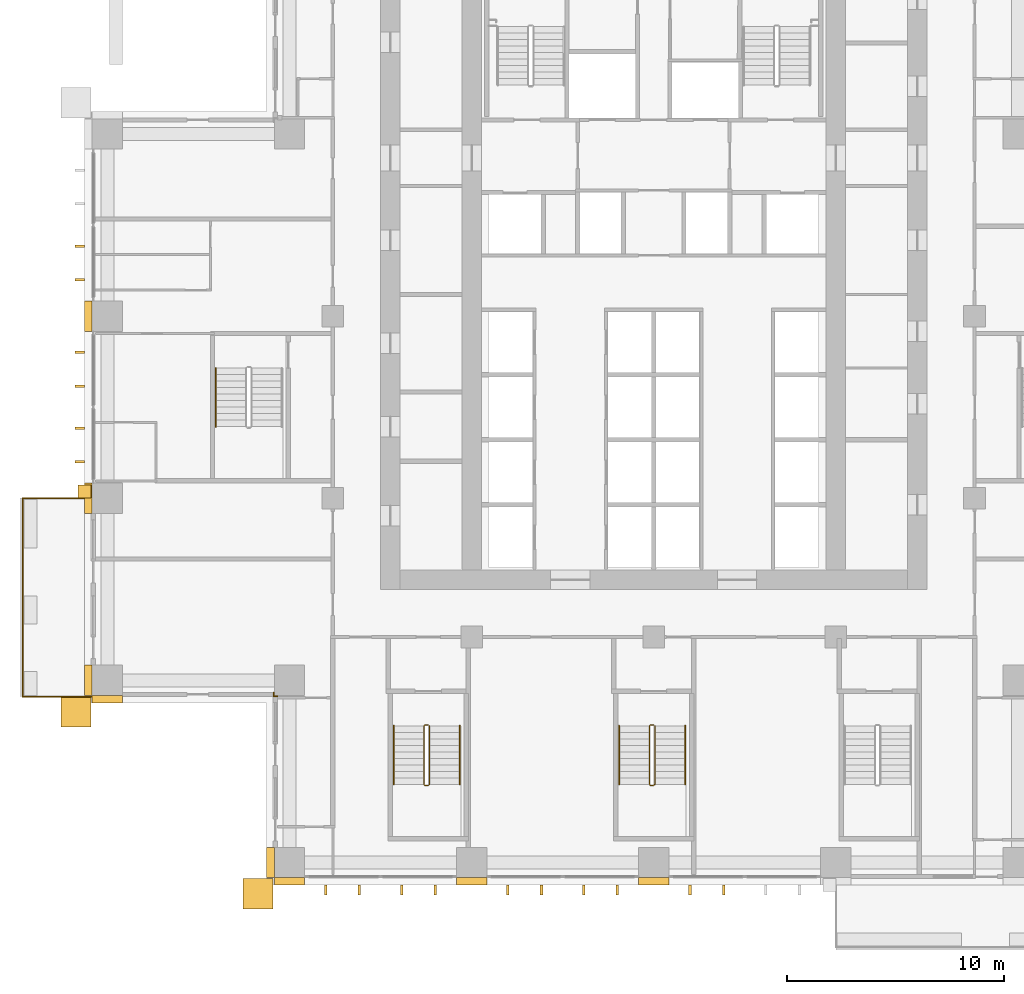
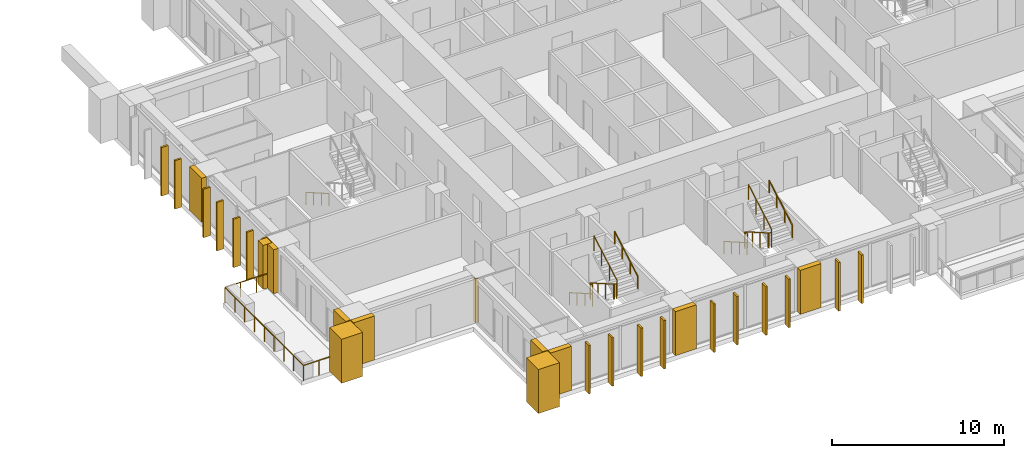
# One storey, part 15 of 18: 28 coverings, 8 railings.
"""IFC4 building model written with IfcOpenShell, lengths in metres."""

from ifc_helpers import new_model, si_unit, direction, frame, origin, origin_2d, place, context, subcontext, project, spatial, polyline, rectangle, outline, extrude, material, layer, layer_set, type_object, element, save


model = new_model("IFC4")

# Units and contexts
model_context = context("Model", 3, precision=1e-05, world=origin(), true_north=direction((0.0, 1.0)))
body_context = subcontext(model_context, "Body", "Model", "MODEL_VIEW")
ifc_project = project(units=[si_unit("LENGTHUNIT", "METRE"), si_unit("AREAUNIT", "SQUARE_METRE"), si_unit("VOLUMEUNIT", "CUBIC_METRE"), si_unit("PLANEANGLEUNIT", "RADIAN"), si_unit("MASSUNIT", "GRAM", prefix="KILO")], contexts=[model_context])

# Site, building, storey
site_placement = place(None, origin())
site = spatial("IfcSite", under=ifc_project, at=site_placement, CompositionType="ELEMENT")
building_placement = place(site_placement, origin())
building = spatial("IfcBuilding", under=site, at=building_placement, Name="Vermilion Ogive Tower", CompositionType="ELEMENT")
storey_placement = place(building_placement, frame((0.0, 0.0, 34.5)))
storey = spatial("IfcBuildingStorey", under=building, at=storey_placement, Name="L06", CompositionType="ELEMENT", Elevation=34.5)

# Railing
ifc_material_1 = material(Name="Stainless steel and glass", Category="steel")
railing_type_1 = type_object("IfcRailingType", Name="Balcony guard", PredefinedType="GUARDRAIL", material=ifc_material_1)
railing_1_placement = place(storey_placement, frame((-25.949951171875, -4.199951171875, -0.0400390625)))
element("IfcRailing", 1, at=railing_1_placement, inside=storey, type_object=railing_type_1, Name="Guard W03", PredefinedType="GUARDRAIL", context=body_context, shape_type="SweptSolid", body=[
    extrude(rectangle(XDim=0.048095703125, YDim=0.048095703125, at=origin_2d()), frame((0.0, 0.0, 1.076171875), z_axis=(-1.0, 0.0, 0.0), x_axis=(0.0, -1.0, 0.0)), (0.0, 0.0, 1.0), 3.16015625),
    extrude(rectangle(XDim=0.048095703125, YDim=0.048095703125, at=origin_2d()), frame((-3.16015625, 0.0, 1.076171875), z_axis=(0.0, -1.0, 0.0), x_axis=(1.0, 0.0, 0.0)), (0.0, 0.0, 1.0), 9.150146484375),
    extrude(rectangle(XDim=0.048095703125, YDim=0.048095703125, at=origin_2d()), frame((-3.16015625, -9.150146484375, 1.076171875), z_axis=(1.0, 0.0, 0.0), x_axis=(0.0, 1.0, 0.0)), (0.0, 0.0, 1.0), 3.16015625),
    extrude(rectangle(XDim=0.0419921875, YDim=0.0419921875, at=origin_2d()), origin(), (0.0, 0.0, 1.0), 1.052001953125),
    extrude(rectangle(XDim=0.0419921875, YDim=0.0419921875, at=origin_2d()), frame((-1.053466796875, 0.0, 0.0)), (0.0, 0.0, 1.0), 1.052001953125),
    extrude(rectangle(XDim=0.0419921875, YDim=0.0419921875, at=origin_2d()), frame((-2.106689453125, 0.0, 0.0)), (0.0, 0.0, 1.0), 1.052001953125),
    extrude(rectangle(XDim=0.0419921875, YDim=0.0419921875, at=origin_2d()), frame((-3.16015625, 0.0, 0.0)), (0.0, 0.0, 1.0), 1.052001953125),
    extrude(rectangle(XDim=0.0419921875, YDim=0.0419921875, at=origin_2d()), frame((-3.16015625, -1.143798828125, 0.0)), (0.0, 0.0, 1.0), 1.052001953125),
    extrude(rectangle(XDim=0.0419921875, YDim=0.0419921875, at=origin_2d()), frame((-3.16015625, -2.28759765625, 0.0)), (0.0, 0.0, 1.0), 1.052001953125),
    extrude(rectangle(XDim=0.0419921875, YDim=0.0419921875, at=origin_2d()), frame((-3.16015625, -3.431396484375, 0.0)), (0.0, 0.0, 1.0), 1.052001953125),
    extrude(rectangle(XDim=0.0419921875, YDim=0.0419921875, at=origin_2d()), frame((-3.16015625, -4.5751953125, 0.0)), (0.0, 0.0, 1.0), 1.052001953125),
    extrude(rectangle(XDim=0.0419921875, YDim=0.0419921875, at=origin_2d()), frame((-3.16015625, -5.71875, 0.0)), (0.0, 0.0, 1.0), 1.052001953125),
    extrude(rectangle(XDim=0.0419921875, YDim=0.0419921875, at=origin_2d()), frame((-3.16015625, -6.862548828125, 0.0)), (0.0, 0.0, 1.0), 1.052001953125),
    extrude(rectangle(XDim=0.0419921875, YDim=0.0419921875, at=origin_2d()), frame((-3.16015625, -8.00634765625, 0.0)), (0.0, 0.0, 1.0), 1.052001953125),
    extrude(rectangle(XDim=0.0419921875, YDim=0.0419921875, at=origin_2d()), frame((-3.16015625, -9.150146484375, 0.0)), (0.0, 0.0, 1.0), 1.052001953125),
    extrude(rectangle(XDim=0.0419921875, YDim=0.0419921875, at=origin_2d()), frame((-2.106689453125, -9.150146484375, 0.0)), (0.0, 0.0, 1.0), 1.052001953125),
    extrude(rectangle(XDim=0.0419921875, YDim=0.0419921875, at=origin_2d()), frame((-1.053466796875, -9.150146484375, 0.0)), (0.0, 0.0, 1.0), 1.052001953125),
    extrude(rectangle(XDim=0.0419921875, YDim=0.0419921875, at=origin_2d()), frame((0.0, -9.150146484375, 0.0)), (0.0, 0.0, 1.0), 1.052001953125),
])

# Coverings
ifc_material_2 = material(Name="Glazed ceramic screen")
ifc_layer = layer(ifc_material_2, 0.14990234375)
ifc_layer_set = layer_set([ifc_layer], Name="Ceramic solar screen fin")
covering_type_1 = type_object("IfcCoveringType", Name="Ceramic solar screen fin", PredefinedType="CLADDING", material=ifc_layer_set)
covering_1_placement = place(storey_placement, frame((0.0, 0.0, -0.320068359375)))
element("IfcCovering", 2, at=covering_1_placement, inside=storey, type_object=covering_type_1, Name="Solar screen blade S961", PredefinedType="CLADDING", context=body_context, shape_type="SweptSolid", body=[
    extrude(outline(polyline([(-15.18505859375, -22.5), (-15.06494140625, -22.5), (-15.06494140625, -22.050048828125), (-15.18505859375, -22.050048828125), (-15.18505859375, -22.5)])), origin(), (0.0, 0.0, 1.0), 3.449951171875),
])
covering_2_placement = place(storey_placement, frame((0.0, 0.0, -0.320068359375)))
element("IfcCovering", 3, at=covering_2_placement, inside=storey, type_object=covering_type_1, Name="Solar screen blade S962", PredefinedType="CLADDING", context=body_context, shape_type="SweptSolid", body=[
    extrude(outline(polyline([(-13.635009765625, -22.5), (-13.514892578125, -22.5), (-13.514892578125, -22.050048828125), (-13.635009765625, -22.050048828125), (-13.635009765625, -22.5)])), origin(), (0.0, 0.0, 1.0), 3.449951171875),
])
covering_3_placement = place(storey_placement, frame((0.0, 0.0, -0.320068359375)))
element("IfcCovering", 4, at=covering_3_placement, inside=storey, type_object=covering_type_1, Name="Solar screen blade S971", PredefinedType="CLADDING", context=body_context, shape_type="SweptSolid", body=[
    extrude(outline(polyline([(-11.68505859375, -22.5), (-11.56494140625, -22.5), (-11.56494140625, -22.050048828125), (-11.68505859375, -22.050048828125), (-11.68505859375, -22.5)])), origin(), (0.0, 0.0, 1.0), 3.449951171875),
])
covering_4_placement = place(storey_placement, frame((0.0, 0.0, -0.320068359375)))
element("IfcCovering", 5, at=covering_4_placement, inside=storey, type_object=covering_type_1, Name="Solar screen blade S972", PredefinedType="CLADDING", context=body_context, shape_type="SweptSolid", body=[
    extrude(outline(polyline([(-10.135009765625, -22.5), (-10.014892578125, -22.5), (-10.014892578125, -22.050048828125), (-10.135009765625, -22.050048828125), (-10.135009765625, -22.5)])), origin(), (0.0, 0.0, 1.0), 3.449951171875),
])
covering_5_placement = place(storey_placement, frame((0.0, 0.0, -0.320068359375)))
element("IfcCovering", 6, at=covering_5_placement, inside=storey, type_object=covering_type_1, Name="Solar screen blade S981", PredefinedType="CLADDING", context=body_context, shape_type="SweptSolid", body=[
    extrude(outline(polyline([(-6.784912109375, -22.5), (-6.6650390625, -22.5), (-6.6650390625, -22.050048828125), (-6.784912109375, -22.050048828125), (-6.784912109375, -22.5)])), origin(), (0.0, 0.0, 1.0), 3.449951171875),
])
covering_6_placement = place(storey_placement, frame((0.0, 0.0, -0.320068359375)))
element("IfcCovering", 7, at=covering_6_placement, inside=storey, type_object=covering_type_1, Name="Solar screen blade S982", PredefinedType="CLADDING", context=body_context, shape_type="SweptSolid", body=[
    extrude(outline(polyline([(-5.235107421875, -22.5), (-5.114990234375, -22.5), (-5.114990234375, -22.050048828125), (-5.235107421875, -22.050048828125), (-5.235107421875, -22.5)])), origin(), (0.0, 0.0, 1.0), 3.449951171875),
])
covering_7_placement = place(storey_placement, frame((0.0, 0.0, -0.320068359375)))
element("IfcCovering", 8, at=covering_7_placement, inside=storey, type_object=covering_type_1, Name="Solar screen blade S991", PredefinedType="CLADDING", context=body_context, shape_type="SweptSolid", body=[
    extrude(outline(polyline([(-3.284912109375, -22.5), (-3.1650390625, -22.5), (-3.1650390625, -22.050048828125), (-3.284912109375, -22.050048828125), (-3.284912109375, -22.5)])), origin(), (0.0, 0.0, 1.0), 3.449951171875),
])
covering_8_placement = place(storey_placement, frame((0.0, 0.0, -0.320068359375)))
element("IfcCovering", 9, at=covering_8_placement, inside=storey, type_object=covering_type_1, Name="Solar screen blade S992", PredefinedType="CLADDING", context=body_context, shape_type="SweptSolid", body=[
    extrude(outline(polyline([(-1.735107421875, -22.5), (-1.614990234375, -22.5), (-1.614990234375, -22.050048828125), (-1.735107421875, -22.050048828125), (-1.735107421875, -22.5)])), origin(), (0.0, 0.0, 1.0), 3.449951171875),
])
covering_9_placement = place(storey_placement, frame((0.0, 0.0, -0.320068359375)))
element("IfcCovering", 10, at=covering_9_placement, inside=storey, type_object=covering_type_1, Name="Solar screen blade S001", PredefinedType="CLADDING", context=body_context, shape_type="SweptSolid", body=[
    extrude(outline(polyline([(1.614990234375, -22.5), (1.735107421875, -22.5), (1.735107421875, -22.050048828125), (1.614990234375, -22.050048828125), (1.614990234375, -22.5)])), origin(), (0.0, 0.0, 1.0), 3.449951171875),
])
covering_10_placement = place(storey_placement, frame((0.0, 0.0, -0.320068359375)))
element("IfcCovering", 11, at=covering_10_placement, inside=storey, type_object=covering_type_1, Name="Solar screen blade S002", PredefinedType="CLADDING", context=body_context, shape_type="SweptSolid", body=[
    extrude(outline(polyline([(3.1650390625, -22.5), (3.284912109375, -22.5), (3.284912109375, -22.050048828125), (3.1650390625, -22.050048828125), (3.1650390625, -22.5)])), origin(), (0.0, 0.0, 1.0), 3.449951171875),
])
covering_11_placement = place(storey_placement, frame((0.0, 0.0, -0.320068359375)))
element("IfcCovering", 12, at=covering_11_placement, inside=storey, type_object=covering_type_1, Name="Solar screen blade W011", PredefinedType="CLADDING", context=body_context, shape_type="SweptSolid", body=[
    extrude(outline(polyline([(-26.699951171875, 7.485107421875), (-26.699951171875, 7.364990234375), (-26.25, 7.364990234375), (-26.25, 7.485107421875), (-26.699951171875, 7.485107421875)])), origin(), (0.0, 0.0, 1.0), 3.449951171875),
])
covering_12_placement = place(storey_placement, frame((0.0, 0.0, -0.320068359375)))
element("IfcCovering", 13, at=covering_12_placement, inside=storey, type_object=covering_type_1, Name="Solar screen blade W012", PredefinedType="CLADDING", context=body_context, shape_type="SweptSolid", body=[
    extrude(outline(polyline([(-26.699951171875, 5.93505859375), (-26.699951171875, 5.81494140625), (-26.25, 5.81494140625), (-26.25, 5.93505859375), (-26.699951171875, 5.93505859375)])), origin(), (0.0, 0.0, 1.0), 3.449951171875),
])
covering_13_placement = place(storey_placement, frame((0.0, 0.0, -0.320068359375)))
element("IfcCovering", 14, at=covering_13_placement, inside=storey, type_object=covering_type_1, Name="Solar screen blade W991", PredefinedType="CLADDING", context=body_context, shape_type="SweptSolid", body=[
    extrude(outline(polyline([(-26.699951171875, -0.9150390625), (-26.699951171875, -1.034912109375), (-26.25, -1.034912109375), (-26.25, -0.9150390625), (-26.699951171875, -0.9150390625)])), origin(), (0.0, 0.0, 1.0), 3.449951171875),
])
covering_14_placement = place(storey_placement, frame((0.0, 0.0, -0.320068359375)))
element("IfcCovering", 15, at=covering_14_placement, inside=storey, type_object=covering_type_1, Name="Solar screen blade W992", PredefinedType="CLADDING", context=body_context, shape_type="SweptSolid", body=[
    extrude(outline(polyline([(-26.699951171875, -2.465087890625), (-26.699951171875, -2.5849609375), (-26.25, -2.5849609375), (-26.25, -2.465087890625), (-26.699951171875, -2.465087890625)])), origin(), (0.0, 0.0, 1.0), 3.449951171875),
])
covering_15_placement = place(storey_placement, frame((0.0, 0.0, -0.320068359375)))
element("IfcCovering", 16, at=covering_15_placement, inside=storey, type_object=covering_type_1, Name="Solar screen blade W001", PredefinedType="CLADDING", context=body_context, shape_type="SweptSolid", body=[
    extrude(outline(polyline([(-26.699951171875, 2.5849609375), (-26.699951171875, 2.465087890625), (-26.25, 2.465087890625), (-26.25, 2.5849609375), (-26.699951171875, 2.5849609375)])), origin(), (0.0, 0.0, 1.0), 3.449951171875),
])
covering_16_placement = place(storey_placement, frame((0.0, 0.0, -0.320068359375)))
element("IfcCovering", 17, at=covering_16_placement, inside=storey, type_object=covering_type_1, Name="Solar screen blade W002", PredefinedType="CLADDING", context=body_context, shape_type="SweptSolid", body=[
    extrude(outline(polyline([(-26.699951171875, 1.034912109375), (-26.699951171875, 0.9150390625), (-26.25, 0.9150390625), (-26.25, 1.034912109375), (-26.699951171875, 1.034912109375)])), origin(), (0.0, 0.0, 1.0), 3.449951171875),
])

# Railings
ifc_material_3 = material(Name="Steel S355 painted", Category="steel")
railing_type_2 = type_object("IfcRailingType", Name="Stair guard 1100", PredefinedType="GUARDRAIL", material=ifc_material_3)
railing_2_placement = place(storey_placement, frame((-10.39990234375, -14.64990234375, 0.0)))
element("IfcRailing", 18, at=railing_2_placement, inside=storey, type_object=railing_type_2, Name="L06 ST3 stair guard 4", PredefinedType="GUARDRAIL", context=body_context, shape_type="SweptSolid", body=[
    extrude(rectangle(XDim=0.048095703125, YDim=0.048095703125, at=origin_2d()), frame((0.0, 0.0, 1.076171875), z_axis=(-1.0, 0.0, 0.0), x_axis=(0.0, -1.0, 0.0)), (0.0, 0.0, 1.0), 0.150146484375),
    extrude(rectangle(XDim=0.048095703125, YDim=0.048095703125, at=origin_2d()), frame((-0.150146484375, 0.0, 1.076171875), z_axis=(-0.268277960024, -0.268277960024, 0.925231793839), x_axis=(0.707106781187, -0.707106781187, 0.0)), (0.0, 0.0, 1.0), 0.1865234375),
    extrude(rectangle(XDim=0.048095703125, YDim=0.048095703125, at=origin_2d()), frame((-0.2001953125, -0.050048828125, 1.24853515625), z_axis=(0.0, -0.866903762492, 0.498475542607), x_axis=(1.0, 0.0, 0.0)), (0.0, 0.0, 1.0), 3.114501953125),
    extrude(rectangle(XDim=0.048095703125, YDim=0.048095703125, at=origin_2d()), frame((-0.2001953125, -2.75, 2.80126953125), z_axis=(0.707106781187, -0.707106781187, 0.0), x_axis=(0.707106781187, 0.707106781187, 0.0)), (0.0, 0.0, 1.0), 0.07080078125),
    extrude(rectangle(XDim=0.048095703125, YDim=0.048095703125, at=origin_2d()), frame((-0.150146484375, -2.800048828125, 2.80126953125), z_axis=(1.0, 0.0, 0.0), x_axis=(0.0, 1.0, 0.0)), (0.0, 0.0, 1.0), 0.150146484375),
    extrude(rectangle(XDim=0.048095703125, YDim=0.048095703125, at=origin_2d()), frame((0.0, -2.800048828125, 2.80126953125), z_axis=(0.267386790225, 0.268697509785, 0.925368009307), x_axis=(-0.708833529934, 0.705375805398, 0.0)), (0.0, 0.0, 1.0), 0.186279296875),
    extrude(rectangle(XDim=0.048095703125, YDim=0.048095703125, at=origin_2d()), frame((0.0498046875, -2.75, 2.9736328125), z_axis=(0.0, 0.866903762492, 0.498475542607), x_axis=(-1.0, 0.0, 0.0)), (0.0, 0.0, 1.0), 3.114501953125),
    extrude(rectangle(XDim=0.0419921875, YDim=0.0419921875, at=origin_2d()), origin(), (0.0, 0.0, 1.0), 1.052001953125),
    extrude(rectangle(XDim=0.0419921875, YDim=0.0419921875, at=origin_2d()), frame((-0.150146484375, 0.0, 0.0)), (0.0, 0.0, 1.0), 1.052001953125),
    extrude(rectangle(XDim=0.0419921875, YDim=0.0419921875, at=origin_2d()), frame((-0.2001953125, -0.050048828125, 0.172607421875)), (0.0, 0.0, 1.0), 1.052001953125),
    extrude(rectangle(XDim=0.0419921875, YDim=0.0419921875, at=origin_2d()), frame((-0.2001953125, -0.949951171875, 0.690185546875)), (0.0, 0.0, 1.0), 1.052001953125),
    extrude(rectangle(XDim=0.0419921875, YDim=0.0419921875, at=origin_2d()), frame((-0.2001953125, -1.85009765625, 1.20751953125)), (0.0, 0.0, 1.0), 1.052001953125),
    extrude(rectangle(XDim=0.0419921875, YDim=0.0419921875, at=origin_2d()), frame((-0.2001953125, -2.75, 1.72509765625)), (0.0, 0.0, 1.0), 1.052001953125),
    extrude(rectangle(XDim=0.0419921875, YDim=0.0419921875, at=origin_2d()), frame((-0.150146484375, -2.800048828125, 1.72509765625)), (0.0, 0.0, 1.0), 1.052001953125),
    extrude(rectangle(XDim=0.0419921875, YDim=0.0419921875, at=origin_2d()), frame((0.0, -2.800048828125, 1.72509765625)), (0.0, 0.0, 1.0), 1.052001953125),
    extrude(rectangle(XDim=0.0419921875, YDim=0.0419921875, at=origin_2d()), frame((0.0498046875, -2.75, 1.8974609375)), (0.0, 0.0, 1.0), 1.052001953125),
    extrude(rectangle(XDim=0.0419921875, YDim=0.0419921875, at=origin_2d()), frame((0.0498046875, -1.85009765625, 2.4150390625)), (0.0, 0.0, 1.0), 1.052001953125),
    extrude(rectangle(XDim=0.0419921875, YDim=0.0419921875, at=origin_2d()), frame((0.0498046875, -0.949951171875, 2.932373046875)), (0.0, 0.0, 1.0), 1.052001953125),
    extrude(rectangle(XDim=0.0419921875, YDim=0.0419921875, at=origin_2d()), frame((0.0498046875, -0.050048828125, 3.449951171875)), (0.0, 0.0, 1.0), 1.052001953125),
])
railing_3_placement = place(storey_placement, frame((0.0, -14.64990234375, 0.0)))
element("IfcRailing", 19, at=railing_3_placement, inside=storey, type_object=railing_type_2, Name="L06 ST4 stair guard 4", PredefinedType="GUARDRAIL", context=body_context, shape_type="SweptSolid", body=[
    extrude(rectangle(XDim=0.048095703125, YDim=0.048095703125, at=origin_2d()), frame((0.0, 0.0, 1.076171875), z_axis=(-1.0, 0.0, 0.0), x_axis=(0.0, -1.0, 0.0)), (0.0, 0.0, 1.0), 0.14990234375),
    extrude(rectangle(XDim=0.048095703125, YDim=0.048095703125, at=origin_2d()), frame((-0.14990234375, 0.0, 1.076171875), z_axis=(-0.268277960024, -0.268277960024, 0.925231793839), x_axis=(0.707106781187, -0.707106781187, 0.0)), (0.0, 0.0, 1.0), 0.1865234375),
    extrude(rectangle(XDim=0.048095703125, YDim=0.048095703125, at=origin_2d()), frame((-0.199951171875, -0.050048828125, 1.24853515625), z_axis=(0.0, -0.866903762492, 0.498475542607), x_axis=(1.0, 0.0, 0.0)), (0.0, 0.0, 1.0), 3.114501953125),
    extrude(rectangle(XDim=0.048095703125, YDim=0.048095703125, at=origin_2d()), frame((-0.199951171875, -2.75, 2.80126953125), z_axis=(0.707106781187, -0.707106781187, 0.0), x_axis=(0.707106781187, 0.707106781187, 0.0)), (0.0, 0.0, 1.0), 0.07080078125),
    extrude(rectangle(XDim=0.048095703125, YDim=0.048095703125, at=origin_2d()), frame((-0.14990234375, -2.800048828125, 2.80126953125), z_axis=(1.0, 0.0, 0.0), x_axis=(0.0, 1.0, 0.0)), (0.0, 0.0, 1.0), 0.14990234375),
    extrude(rectangle(XDim=0.048095703125, YDim=0.048095703125, at=origin_2d()), frame((0.0, -2.800048828125, 2.80126953125), z_axis=(0.268603158521, 0.268603158521, 0.925043072762), x_axis=(-0.707106781187, 0.707106781187, 0.0)), (0.0, 0.0, 1.0), 0.186279296875),
    extrude(rectangle(XDim=0.048095703125, YDim=0.048095703125, at=origin_2d()), frame((0.050048828125, -2.75, 2.9736328125), z_axis=(0.0, 0.866903762492, 0.498475542607), x_axis=(-1.0, 0.0, 0.0)), (0.0, 0.0, 1.0), 3.114501953125),
    extrude(rectangle(XDim=0.0419921875, YDim=0.0419921875, at=origin_2d()), origin(), (0.0, 0.0, 1.0), 1.052001953125),
    extrude(rectangle(XDim=0.0419921875, YDim=0.0419921875, at=origin_2d()), frame((-0.14990234375, 0.0, 0.0)), (0.0, 0.0, 1.0), 1.052001953125),
    extrude(rectangle(XDim=0.0419921875, YDim=0.0419921875, at=origin_2d()), frame((-0.199951171875, -0.050048828125, 0.172607421875)), (0.0, 0.0, 1.0), 1.052001953125),
    extrude(rectangle(XDim=0.0419921875, YDim=0.0419921875, at=origin_2d()), frame((-0.199951171875, -0.949951171875, 0.690185546875)), (0.0, 0.0, 1.0), 1.052001953125),
    extrude(rectangle(XDim=0.0419921875, YDim=0.0419921875, at=origin_2d()), frame((-0.199951171875, -1.85009765625, 1.20751953125)), (0.0, 0.0, 1.0), 1.052001953125),
    extrude(rectangle(XDim=0.0419921875, YDim=0.0419921875, at=origin_2d()), frame((-0.199951171875, -2.75, 1.72509765625)), (0.0, 0.0, 1.0), 1.052001953125),
    extrude(rectangle(XDim=0.0419921875, YDim=0.0419921875, at=origin_2d()), frame((-0.14990234375, -2.800048828125, 1.72509765625)), (0.0, 0.0, 1.0), 1.052001953125),
    extrude(rectangle(XDim=0.0419921875, YDim=0.0419921875, at=origin_2d()), frame((0.0, -2.800048828125, 1.72509765625)), (0.0, 0.0, 1.0), 1.052001953125),
    extrude(rectangle(XDim=0.0419921875, YDim=0.0419921875, at=origin_2d()), frame((0.050048828125, -2.75, 1.8974609375)), (0.0, 0.0, 1.0), 1.052001953125),
    extrude(rectangle(XDim=0.0419921875, YDim=0.0419921875, at=origin_2d()), frame((0.050048828125, -1.85009765625, 2.4150390625)), (0.0, 0.0, 1.0), 1.052001953125),
    extrude(rectangle(XDim=0.0419921875, YDim=0.0419921875, at=origin_2d()), frame((0.050048828125, -0.949951171875, 2.932373046875)), (0.0, 0.0, 1.0), 1.052001953125),
    extrude(rectangle(XDim=0.0419921875, YDim=0.0419921875, at=origin_2d()), frame((0.050048828125, -0.050048828125, 3.449951171875)), (0.0, 0.0, 1.0), 1.052001953125),
])
ifc_material_4 = material(Name="Stainless steel", Category="steel")
railing_type_3 = type_object("IfcRailingType", Name="Stair handrail 900", PredefinedType="HANDRAIL", material=ifc_material_4)
railing_4_placement = place(storey_placement, frame((-12.0, -14.699951171875, 0.172607421875)))
element("IfcRailing", 20, at=railing_4_placement, inside=storey, type_object=railing_type_3, Name="L06 ST3 stair handrail 1", PredefinedType="HANDRAIL", context=body_context, shape_type="SweptSolid", body=[
    extrude(rectangle(XDim=0.048095703125, YDim=0.048095703125, at=origin_2d()), frame((0.0, 0.0, 0.8759765625), z_axis=(0.0, -0.866903762492, 0.498475542607), x_axis=(1.0, 0.0, 0.0)), (0.0, 0.0, 1.0), 3.114501953125),
    extrude(rectangle(XDim=0.0419921875, YDim=0.0419921875, at=origin_2d()), origin(), (0.0, 0.0, 1.0), 0.851806640625),
    extrude(rectangle(XDim=0.0419921875, YDim=0.0419921875, at=origin_2d()), frame((0.0, -0.89990234375, 0.517578125)), (0.0, 0.0, 1.0), 0.851806640625),
    extrude(rectangle(XDim=0.0419921875, YDim=0.0419921875, at=origin_2d()), frame((0.0, -1.800048828125, 1.034912109375)), (0.0, 0.0, 1.0), 0.851806640625),
    extrude(rectangle(XDim=0.0419921875, YDim=0.0419921875, at=origin_2d()), frame((0.0, -2.699951171875, 1.552490234375)), (0.0, 0.0, 1.0), 0.851806640625),
])
railing_5_placement = place(storey_placement, frame((-8.949951171875, -17.39990234375, 1.8974609375)))
element("IfcRailing", 21, at=railing_5_placement, inside=storey, type_object=railing_type_3, Name="L06 ST3 stair handrail 2", PredefinedType="HANDRAIL", context=body_context, shape_type="SweptSolid", body=[
    extrude(rectangle(XDim=0.048095703125, YDim=0.048095703125, at=origin_2d()), frame((0.0, 0.0, 0.8759765625), z_axis=(0.0, 0.866903762492, 0.498475542607), x_axis=(-1.0, 0.0, 0.0)), (0.0, 0.0, 1.0), 3.114501953125),
    extrude(rectangle(XDim=0.0419921875, YDim=0.0419921875, at=origin_2d()), origin(), (0.0, 0.0, 1.0), 0.851806640625),
    extrude(rectangle(XDim=0.0419921875, YDim=0.0419921875, at=origin_2d()), frame((0.0, 0.89990234375, 0.517578125)), (0.0, 0.0, 1.0), 0.851806640625),
    extrude(rectangle(XDim=0.0419921875, YDim=0.0419921875, at=origin_2d()), frame((0.0, 1.800048828125, 1.034912109375)), (0.0, 0.0, 1.0), 0.851806640625),
    extrude(rectangle(XDim=0.0419921875, YDim=0.0419921875, at=origin_2d()), frame((0.0, 2.699951171875, 1.552490234375)), (0.0, 0.0, 1.0), 0.851806640625),
])
railing_6_placement = place(storey_placement, frame((-1.60009765625, -14.699951171875, 0.172607421875)))
element("IfcRailing", 22, at=railing_6_placement, inside=storey, type_object=railing_type_3, Name="L06 ST4 stair handrail 1", PredefinedType="HANDRAIL", context=body_context, shape_type="SweptSolid", body=[
    extrude(rectangle(XDim=0.048095703125, YDim=0.048095703125, at=origin_2d()), frame((0.0, 0.0, 0.8759765625), z_axis=(0.0, -0.866903762492, 0.498475542607), x_axis=(1.0, 0.0, 0.0)), (0.0, 0.0, 1.0), 3.114501953125),
    extrude(rectangle(XDim=0.0419921875, YDim=0.0419921875, at=origin_2d()), origin(), (0.0, 0.0, 1.0), 0.851806640625),
    extrude(rectangle(XDim=0.0419921875, YDim=0.0419921875, at=origin_2d()), frame((0.0, -0.89990234375, 0.517578125)), (0.0, 0.0, 1.0), 0.851806640625),
    extrude(rectangle(XDim=0.0419921875, YDim=0.0419921875, at=origin_2d()), frame((0.0, -1.800048828125, 1.034912109375)), (0.0, 0.0, 1.0), 0.851806640625),
    extrude(rectangle(XDim=0.0419921875, YDim=0.0419921875, at=origin_2d()), frame((0.0, -2.699951171875, 1.552490234375)), (0.0, 0.0, 1.0), 0.851806640625),
])
railing_7_placement = place(storey_placement, frame((1.449951171875, -17.39990234375, 1.8974609375)))
element("IfcRailing", 23, at=railing_7_placement, inside=storey, type_object=railing_type_3, Name="L06 ST4 stair handrail 2", PredefinedType="HANDRAIL", context=body_context, shape_type="SweptSolid", body=[
    extrude(rectangle(XDim=0.048095703125, YDim=0.048095703125, at=origin_2d()), frame((0.0, 0.0, 0.8759765625), z_axis=(0.0, 0.866903762492, 0.498475542607), x_axis=(-1.0, 0.0, 0.0)), (0.0, 0.0, 1.0), 3.114501953125),
    extrude(rectangle(XDim=0.0419921875, YDim=0.0419921875, at=origin_2d()), origin(), (0.0, 0.0, 1.0), 0.851806640625),
    extrude(rectangle(XDim=0.0419921875, YDim=0.0419921875, at=origin_2d()), frame((0.0, 0.89990234375, 0.517578125)), (0.0, 0.0, 1.0), 0.851806640625),
    extrude(rectangle(XDim=0.0419921875, YDim=0.0419921875, at=origin_2d()), frame((0.0, 1.800048828125, 1.034912109375)), (0.0, 0.0, 1.0), 0.851806640625),
    extrude(rectangle(XDim=0.0419921875, YDim=0.0419921875, at=origin_2d()), frame((0.0, 2.699951171875, 1.552490234375)), (0.0, 0.0, 1.0), 0.851806640625),
])
railing_8_placement = place(storey_placement, frame((-20.199951171875, 1.800048828125, 0.172607421875)))
element("IfcRailing", 24, at=railing_8_placement, inside=storey, type_object=railing_type_3, Name="L06 ST9 stair handrail 1", PredefinedType="HANDRAIL", context=body_context, shape_type="SweptSolid", body=[
    extrude(rectangle(XDim=0.048095703125, YDim=0.048095703125, at=origin_2d()), frame((0.0, 0.0, 0.8759765625), z_axis=(0.0, -0.866903762492, 0.498475542607), x_axis=(1.0, 0.0, 0.0)), (0.0, 0.0, 1.0), 3.114501953125),
    extrude(rectangle(XDim=0.0419921875, YDim=0.0419921875, at=origin_2d()), origin(), (0.0, 0.0, 1.0), 0.851806640625),
    extrude(rectangle(XDim=0.0419921875, YDim=0.0419921875, at=origin_2d()), frame((0.0, -0.89990234375, 0.517578125)), (0.0, 0.0, 1.0), 0.851806640625),
    extrude(rectangle(XDim=0.0419921875, YDim=0.0419921875, at=origin_2d()), frame((0.0, -1.800048828125, 1.034912109375)), (0.0, 0.0, 1.0), 0.851806640625),
    extrude(rectangle(XDim=0.0419921875, YDim=0.0419921875, at=origin_2d()), frame((0.0, -2.699951171875, 1.552490234375)), (0.0, 0.0, 1.0), 0.851806640625),
])

# Coverings
ifc_material_5 = material(Name="Stone cladding", Category="masonry")
covering_type_2 = type_object("IfcCoveringType", Name="Stone corner buttress", PredefinedType="CLADDING", material=ifc_material_5)
covering_17_placement = place(storey_placement, origin())
element("IfcCovering", 25, at=covering_17_placement, inside=storey, type_object=covering_type_2, Name="Stone crease pier WK", PredefinedType="CLADDING", context=body_context, shape_type="SweptSolid", body=[
    extrude(outline(polyline([(-26.550048828125, -3.60009765625), (-26.550048828125, -4.199951171875), (-25.949951171875, -4.199951171875), (-25.949951171875, -3.60009765625), (-26.550048828125, -3.60009765625)])), origin(), (0.0, 0.0, 1.0), 3.1298828125),
])
covering_18_placement = place(storey_placement, origin())
element("IfcCovering", 26, at=covering_18_placement, inside=storey, type_object=covering_type_2, Name="Stone corner buttress S1", PredefinedType="CLADDING", context=body_context, shape_type="SweptSolid", body=[
    extrude(outline(polyline([(-18.949951171875, -23.14990234375), (-18.949951171875, -21.75), (-17.550048828125, -21.75), (-17.550048828125, -23.14990234375), (-18.949951171875, -23.14990234375)])), origin(), (0.0, 0.0, 1.0), 3.1298828125),
])
covering_19_placement = place(storey_placement, origin())
element("IfcCovering", 27, at=covering_19_placement, inside=storey, type_object=covering_type_2, Name="Stone corner buttress X71", PredefinedType="CLADDING", context=body_context, shape_type="SweptSolid", body=[
    extrude(outline(polyline([(-25.949951171875, -14.75), (-27.35009765625, -14.75), (-27.35009765625, -13.35009765625), (-26.25, -13.35009765625), (-25.949951171875, -13.35009765625), (-25.949951171875, -14.75)])), origin(), (0.0, 0.0, 1.0), 3.1298828125),
])
ifc_material_6 = material(Name="Stone cladding", Category="masonry")
covering_type_3 = type_object("IfcCoveringType", Name="Stone pier", PredefinedType="CLADDING", material=ifc_material_6)
covering_20_placement = place(storey_placement, origin())
element("IfcCovering", 28, at=covering_20_placement, inside=storey, type_object=covering_type_3, Name="Stone pier P+0000-210", PredefinedType="CLADDING", context=body_context, shape_type="SweptSolid", body=[
    extrude(outline(polyline([(0.699951171875, -22.050048828125), (-0.699951171875, -22.050048828125), (-0.699951171875, -21.699951171875), (0.699951171875, -21.699951171875), (0.699951171875, -22.050048828125)])), origin(), (0.0, 0.0, 1.0), 3.1298828125),
])
covering_21_placement = place(storey_placement, origin())
element("IfcCovering", 29, at=covering_21_placement, inside=storey, type_object=covering_type_3, Name="Stone pier P-0084-210", PredefinedType="CLADDING", context=body_context, shape_type="SweptSolid", body=[
    extrude(outline(polyline([(-7.699951171875, -22.050048828125), (-9.10009765625, -22.050048828125), (-9.10009765625, -21.699951171875), (-7.699951171875, -21.699951171875), (-7.699951171875, -22.050048828125)])), origin(), (0.0, 0.0, 1.0), 3.1298828125),
])
covering_22_placement = place(storey_placement, origin())
element("IfcCovering", 30, at=covering_22_placement, inside=storey, type_object=covering_type_3, Name="Stone pier P-0168-210S", PredefinedType="CLADDING", context=body_context, shape_type="SweptSolid", body=[
    extrude(outline(polyline([(-16.10009765625, -22.050048828125), (-17.5, -22.050048828125), (-17.5, -21.699951171875), (-16.10009765625, -21.699951171875), (-16.10009765625, -22.050048828125)])), origin(), (0.0, 0.0, 1.0), 3.1298828125),
])
covering_23_placement = place(storey_placement, origin())
element("IfcCovering", 31, at=covering_23_placement, inside=storey, type_object=covering_type_3, Name="Stone pier P-0168-210X8", PredefinedType="CLADDING", context=body_context, shape_type="SweptSolid", body=[
    extrude(outline(polyline([(-17.85009765625, -20.300048828125), (-17.5, -20.300048828125), (-17.5, -21.699951171875), (-17.85009765625, -21.699951171875), (-17.85009765625, -20.300048828125)])), origin(), (0.0, 0.0, 1.0), 3.1298828125),
])
covering_24_placement = place(storey_placement, origin())
element("IfcCovering", 32, at=covering_24_placement, inside=storey, type_object=covering_type_3, Name="Stone pier P-0252+042", PredefinedType="CLADDING", context=body_context, shape_type="SweptSolid", body=[
    extrude(outline(polyline([(-26.25, 3.5), (-26.25, 4.89990234375), (-25.89990234375, 4.89990234375), (-25.89990234375, 3.5), (-26.25, 3.5)])), origin(), (0.0, 0.0, 1.0), 3.1298828125),
])
covering_25_placement = place(storey_placement, origin())
element("IfcCovering", 33, at=covering_25_placement, inside=storey, type_object=covering_type_3, Name="Stone pier P-0252-042", PredefinedType="CLADDING", context=body_context, shape_type="SweptSolid", body=[
    extrude(outline(polyline([(-26.25, -4.89990234375), (-26.25, -4.199951171875), (-25.949951171875, -4.199951171875), (-25.949951171875, -3.60009765625), (-26.25, -3.60009765625), (-26.25, -3.5), (-25.89990234375, -3.5), (-25.89990234375, -4.89990234375), (-26.25, -4.89990234375)])), origin(), (0.0, 0.0, 1.0), 3.1298828125),
])
covering_26_placement = place(storey_placement, origin())
element("IfcCovering", 34, at=covering_26_placement, inside=storey, type_object=covering_type_3, Name="Stone pier P-0252-126W", PredefinedType="CLADDING", context=body_context, shape_type="SweptSolid", body=[
    extrude(outline(polyline([(-26.25, -13.300048828125), (-26.25, -11.89990234375), (-25.89990234375, -11.89990234375), (-25.89990234375, -13.300048828125), (-26.25, -13.300048828125)])), origin(), (0.0, 0.0, 1.0), 3.1298828125),
])
covering_27_placement = place(storey_placement, origin())
element("IfcCovering", 35, at=covering_27_placement, inside=storey, type_object=covering_type_3, Name="Stone pier P-0252-126X7", PredefinedType="CLADDING", context=body_context, shape_type="SweptSolid", body=[
    extrude(outline(polyline([(-25.89990234375, -13.64990234375), (-25.89990234375, -13.300048828125), (-24.5, -13.300048828125), (-24.5, -13.64990234375), (-25.89990234375, -13.64990234375)])), origin(), (0.0, 0.0, 1.0), 3.1298828125),
])
covering_28_placement = place(storey_placement, origin())
element("IfcCovering", 36, at=covering_28_placement, inside=storey, type_object=covering_type_3, Name="Stone corner pier X7E1", PredefinedType="CLADDING", context=body_context, shape_type="SweptSolid", body=[
    extrude(outline(polyline([(-17.5, -13.14990234375), (-17.5, -13.300048828125), (-17.35009765625, -13.300048828125), (-17.35009765625, -13.35009765625), (-17.550048828125, -13.35009765625), (-17.550048828125, -13.14990234375), (-17.5, -13.14990234375)])), origin(), (0.0, 0.0, 1.0), 3.1298828125),
])

save(model, "model.ifc")
